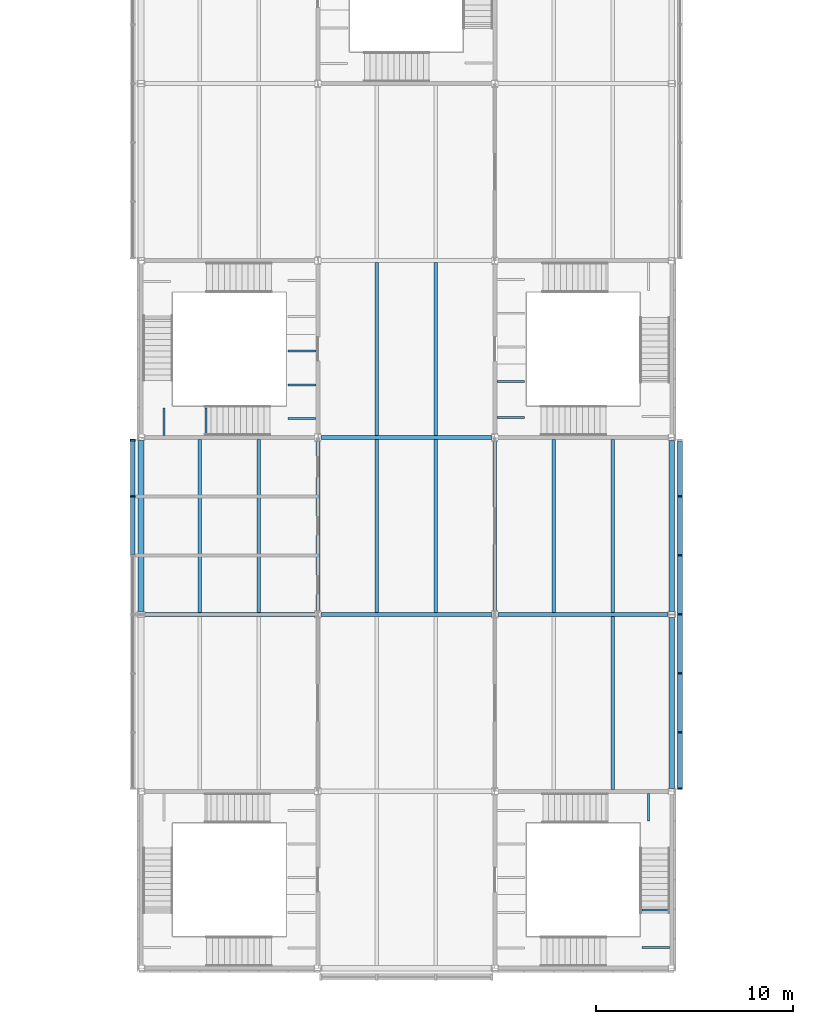
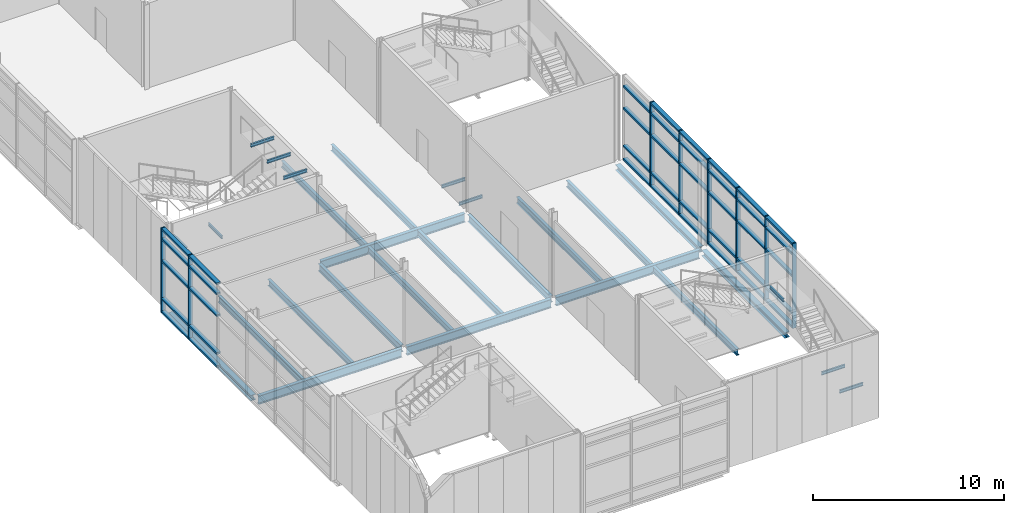
# One storey, part 10 of 53: 47 members, 28 beams, 2 elements without a shape of their own.
"""IFC4 building model written with IfcOpenShell, lengths in metres."""

from ifc_helpers import new_model, si_unit, direction, frame, origin, origin_2d, place, context, subcontext, project, spatial, rectangle, i_section, extrude, material, material_profile, profile_set, type_object, element, aggregate, save


model = new_model("IFC4")

# Units and contexts
model_context = context("Model", 3, precision=1e-05, world=origin(), true_north=direction((0.0, 1.0)))
body_context = subcontext(model_context, "Body", "Model", "MODEL_VIEW")
ifc_project = project(units=[si_unit("LENGTHUNIT", "METRE"), si_unit("AREAUNIT", "SQUARE_METRE"), si_unit("VOLUMEUNIT", "CUBIC_METRE"), si_unit("PLANEANGLEUNIT", "RADIAN"), si_unit("MASSUNIT", "GRAM", prefix="KILO")], contexts=[model_context])

# Site, building, storey
site_placement = place(None, origin())
site = spatial("IfcSite", under=ifc_project, at=site_placement, CompositionType="ELEMENT")
building_placement = place(site_placement, origin())
building = spatial("IfcBuilding", under=site, at=building_placement, Name="Azimuth Sports and Learning Centre", CompositionType="ELEMENT")
storey_placement = place(building_placement, frame((0.0, 0.0, 10.800048828125)))
storey = spatial("IfcBuildingStorey", under=building, at=storey_placement, Name="L02", CompositionType="ELEMENT", Elevation=10.800048828125)

# Beams
ifc_material_1 = material(Name="Steel S355", Category="steel")
ifc_material_profile_1 = material_profile(ifc_material_1, i_section(OverallWidth=0.10009765625, OverallDepth=0.199951171875, WebThickness=0.005615234375, FlangeThickness=0.008544921875, FilletRadius=0.011962890625, at=origin_2d()), Name="IPE 200")
ifc_profile_set_1 = profile_set([ifc_material_profile_1], Name="Steel S355")
beam_type_1 = type_object("IfcBeamType", Name="Beam IPE 200", PredefinedType="BEAM", material=ifc_profile_set_1)
for number, where, z_axis, x_axis, name in (
    (1, (98.89990234375, 1.06005859375, 1.5), (-1.0, 0.0, 0.0), (0.0, -1.0, 0.0), "Landing bracket ST2 L02 1043"),
    (2, (98.89990234375, 2.9599609375, 1.5), (-1.0, 0.0, 0.0), (0.0, -1.0, 0.0), "Landing bracket ST2 L02 1044"),
    (3, (97.827392578125, 8.89990234375, 3.300048828125), (0.0, -1.0, 0.0), (1.0, 0.0, 0.0), "Landing bracket ST2 L02 1046"),
    (4, (73.172607421875, 27.10009765625, 3.300048828125), (0.0, 1.0, 0.0), (-1.0, 0.0, 0.0), "Landing bracket ST3 L02 1079"),
    (5, (75.297607421875, 27.10009765625, 3.300048828125), (0.0, 1.0, 0.0), (-1.0, 0.0, 0.0), "Landing bracket ST3 L02 1080"),
    (6, (80.89990234375, 27.966552734375, 5.099853515625), (-1.0, 0.0, 0.0), (0.0, -1.0, 0.0), "Landing bracket ST3 L02 1081"),
    (7, (80.89990234375, 29.679931640625, 5.099853515625), (-1.0, 0.0, 0.0), (0.0, -1.0, 0.0), "Landing bracket ST3 L02 1082"),
    (8, (80.89990234375, 31.393310546875, 5.099853515625), (-1.0, 0.0, 0.0), (0.0, -1.0, 0.0), "Landing bracket ST3 L02 1083"),
    (9, (90.10009765625, 28.02001953125, -0.300048828125), (1.0, 0.0, 0.0), (0.0, 1.0, 0.0), "Landing bracket ST4 L02 1109"),
    (10, (90.10009765625, 29.840087890625, -0.300048828125), (1.0, 0.0, 0.0), (0.0, 1.0, 0.0), "Landing bracket ST4 L02 1110"),
):
    element("IfcBeam", number, at=place(storey_placement, frame(where, z_axis=z_axis, x_axis=x_axis)), inside=storey, type_object=beam_type_1, Name=name, PredefinedType="BEAM", context=body_context, shape_type="SweptSolid", body=[
        extrude(i_section(OverallWidth=0.10009765625, OverallDepth=0.199951171875, WebThickness=0.005615234375, FlangeThickness=0.008544921875, FilletRadius=0.011962890625, at=origin_2d()), origin(), (0.0, 0.0, 1.0), 1.409912109375),
    ])
ifc_material_2 = material(Name="Steel S355", Category="steel")
ifc_material_profile_2 = material_profile(ifc_material_2, i_section(OverallWidth=0.18994140625, OverallDepth=0.449951171875, WebThickness=0.009521484375, FlangeThickness=0.0146484375, FilletRadius=0.02099609375, at=origin_2d()), Name="IPE 450")
ifc_profile_set_2 = profile_set([ifc_material_profile_2], Name="Steel S355")
beam_type_2 = type_object("IfcBeamType", Name="Beam IPE 450", PredefinedType="BEAM", material=ifc_profile_set_2)
for number, where, z_axis, x_axis, name in (
    (11, (81.0, 18.199951171875, -0.375), (0.0, 1.0, 0.0), (-1.0, 0.0, 0.0), "Beam L02 ST 30"),
    (12, (90.0, 18.199951171875, -0.375), (0.0, 1.0, 0.0), (-1.0, 0.0, 0.0), "Beam L02 ST 36"),
):
    element("IfcBeam", number, at=place(storey_placement, frame(where, z_axis=z_axis, x_axis=x_axis)), inside=storey, type_object=beam_type_2, Name=name, PredefinedType="BEAM", context=body_context, shape_type="SweptSolid", body=[
        extrude(i_section(OverallWidth=0.18994140625, OverallDepth=0.449951171875, WebThickness=0.009521484375, FlangeThickness=0.0146484375, FilletRadius=0.02099609375, at=origin_2d()), origin(), (0.0, 0.0, 1.0), 8.60009765625),
    ])
ifc_material_3 = material(Name="Steel S355", Category="steel")
ifc_material_profile_3 = material_profile(ifc_material_3, i_section(OverallWidth=0.2099609375, OverallDepth=0.550048828125, WebThickness=0.010986328125, FlangeThickness=0.01708984375, FilletRadius=0.02392578125, at=origin_2d()), Name="IPE 550")
ifc_profile_set_3 = profile_set([ifc_material_profile_3], Name="Steel S355")
beam_type_3 = type_object("IfcBeamType", Name="Beam IPE 550", PredefinedType="BEAM", material=ifc_profile_set_3)
beam_1_placement = place(storey_placement, frame((72.199951171875, 18.0, -0.425048828125), z_axis=(1.0, 0.0, 0.0), x_axis=(0.0, 1.0, 0.0)))
element("IfcBeam", 13, at=beam_1_placement, inside=storey, type_object=beam_type_3, Name="Beam L02 ST 3", PredefinedType="BEAM", context=body_context, shape_type="SweptSolid", body=[
    extrude(i_section(OverallWidth=0.2099609375, OverallDepth=0.550048828125, WebThickness=0.010986328125, FlangeThickness=0.01708984375, FilletRadius=0.02392578125, at=origin_2d()), origin(), (0.0, 0.0, 1.0), 8.650146484375),
])
beam_2_placement = place(storey_placement, frame((81.14990234375, 18.0, -0.425048828125), z_axis=(1.0, 0.0, 0.0), x_axis=(0.0, 1.0, 0.0)))
element("IfcBeam", 14, at=beam_2_placement, inside=storey, type_object=beam_type_3, Name="Beam L02 ST 4", PredefinedType="BEAM", context=body_context, shape_type="SweptSolid", body=[
    extrude(i_section(OverallWidth=0.2099609375, OverallDepth=0.550048828125, WebThickness=0.010986328125, FlangeThickness=0.01708984375, FilletRadius=0.02392578125, at=origin_2d()), origin(), (0.0, 0.0, 1.0), 8.7001953125),
])
beam_3_placement = place(storey_placement, frame((90.14990234375, 18.0, -0.425048828125), z_axis=(1.0, 0.0, 0.0), x_axis=(0.0, 1.0, 0.0)))
element("IfcBeam", 15, at=beam_3_placement, inside=storey, type_object=beam_type_3, Name="Beam L02 ST 5", PredefinedType="BEAM", context=body_context, shape_type="SweptSolid", body=[
    extrude(i_section(OverallWidth=0.2099609375, OverallDepth=0.550048828125, WebThickness=0.010986328125, FlangeThickness=0.01708984375, FilletRadius=0.02392578125, at=origin_2d()), origin(), (0.0, 0.0, 1.0), 8.650146484375),
])
beam_4_placement = place(storey_placement, frame((81.14990234375, 27.0, -0.425048828125), z_axis=(1.0, 0.0, 0.0), x_axis=(0.0, 1.0, 0.0)))
element("IfcBeam", 16, at=beam_4_placement, inside=storey, type_object=beam_type_3, Name="Beam L02 ST 6", PredefinedType="BEAM", context=body_context, shape_type="SweptSolid", body=[
    extrude(i_section(OverallWidth=0.2099609375, OverallDepth=0.550048828125, WebThickness=0.010986328125, FlangeThickness=0.01708984375, FilletRadius=0.02392578125, at=origin_2d()), origin(), (0.0, 0.0, 1.0), 8.7001953125),
])
ifc_material_4 = material(Name="Steel S355", Category="steel")
ifc_material_profile_4 = material_profile(ifc_material_4, i_section(OverallWidth=0.300048828125, OverallDepth=0.35009765625, WebThickness=0.010009765625, FlangeThickness=0.017578125, FilletRadius=0.027099609375, at=origin_2d()), Name="HEA 360")
ifc_profile_set_4 = profile_set([ifc_material_profile_4], Name="Steel S355")
beam_type_4 = type_object("IfcBeamType", Name="Edge beam HEA 360", PredefinedType="SPANDREL", material=ifc_profile_set_4)
for number, where, z_axis, x_axis, name in (
    (17, (72.0, 18.14990234375, -0.324951171875), (0.0, 1.0, 0.0), (-1.0, 0.0, 0.0), "Edge beam L02 ST 22"),
    (18, (99.0, 9.14990234375, -0.324951171875), (0.0, 1.0, 0.0), (-1.0, 0.0, 0.0), "Edge beam L02 ST 41"),
    (19, (99.0, 18.14990234375, -0.324951171875), (0.0, 1.0, 0.0), (-1.0, 0.0, 0.0), "Edge beam L02 ST 42"),
):
    element("IfcBeam", number, at=place(storey_placement, frame(where, z_axis=z_axis, x_axis=x_axis)), inside=storey, type_object=beam_type_4, Name=name, PredefinedType="SPANDREL", context=body_context, shape_type="SweptSolid", body=[
        extrude(i_section(OverallWidth=0.300048828125, OverallDepth=0.35009765625, WebThickness=0.010009765625, FlangeThickness=0.017578125, FilletRadius=0.027099609375, at=origin_2d()), origin(), (0.0, 0.0, 1.0), 8.7001953125),
    ])
ifc_material_5 = material(Name="Steel S355", Category="steel")
ifc_material_profile_5 = material_profile(ifc_material_5, i_section(OverallWidth=0.179931640625, OverallDepth=0.39990234375, WebThickness=0.008544921875, FlangeThickness=0.013427734375, FilletRadius=0.02099609375, at=origin_2d()), Name="IPE 400")
ifc_profile_set_5 = profile_set([ifc_material_profile_5], Name="Steel S355")
beam_type_5 = type_object("IfcBeamType", Name="Joist IPE 400", PredefinedType="JOIST", material=ifc_profile_set_5)
for number, where, z_axis, x_axis, name in (
    (20, (75.0, 18.10498046875, -0.35009765625), (0.0, 1.0, 0.0), (-1.0, 0.0, 0.0), "Joist L02 ST 49"),
    (21, (78.0, 18.10498046875, -0.35009765625), (0.0, 1.0, 0.0), (-1.0, 0.0, 0.0), "Joist L02 ST 57"),
):
    element("IfcBeam", number, at=place(storey_placement, frame(where, z_axis=z_axis, x_axis=x_axis)), inside=storey, type_object=beam_type_5, Name=name, PredefinedType="JOIST", context=body_context, shape_type="SweptSolid", body=[
        extrude(i_section(OverallWidth=0.179931640625, OverallDepth=0.39990234375, WebThickness=0.008544921875, FlangeThickness=0.013427734375, FilletRadius=0.02099609375, at=origin_2d()), origin(), (0.0, 0.0, 1.0), 8.794921875),
    ])
for number, where, z_axis, x_axis, name in (
    (22, (84.0, 18.10498046875, -0.35009765625), (0.0, 1.0, 0.0), (-1.0, 0.0, 0.0), "Joist L02 ST 66"),
    (23, (84.0, 27.10498046875, -0.35009765625), (0.0, 1.0, 0.0), (-1.0, 0.0, 0.0), "Joist L02 ST 67"),
    (24, (87.0, 18.10498046875, -0.35009765625), (0.0, 1.0, 0.0), (-1.0, 0.0, 0.0), "Joist L02 ST 72"),
    (25, (87.0, 27.10498046875, -0.35009765625), (0.0, 1.0, 0.0), (-1.0, 0.0, 0.0), "Joist L02 ST 73"),
):
    element("IfcBeam", number, at=place(storey_placement, frame(where, z_axis=z_axis, x_axis=x_axis)), inside=storey, type_object=beam_type_5, Name=name, PredefinedType="JOIST", context=body_context, shape_type="SweptSolid", body=[
        extrude(i_section(OverallWidth=0.179931640625, OverallDepth=0.39990234375, WebThickness=0.008544921875, FlangeThickness=0.013427734375, FilletRadius=0.02099609375, at=origin_2d()), origin(), (0.0, 0.0, 1.0), 8.7900390625),
    ])
for number, where, z_axis, x_axis, name in (
    (26, (93.0, 18.10498046875, -0.35009765625), (0.0, 1.0, 0.0), (-1.0, 0.0, 0.0), "Joist L02 ST 77"),
    (27, (96.0, 9.10009765625, -0.35009765625), (0.0, 1.0, 0.0), (-1.0, 0.0, 0.0), "Joist L02 ST 84"),
    (28, (96.0, 18.10498046875, -0.35009765625), (0.0, 1.0, 0.0), (-1.0, 0.0, 0.0), "Joist L02 ST 85"),
):
    element("IfcBeam", number, at=place(storey_placement, frame(where, z_axis=z_axis, x_axis=x_axis)), inside=storey, type_object=beam_type_5, Name=name, PredefinedType="JOIST", context=body_context, shape_type="SweptSolid", body=[
        extrude(i_section(OverallWidth=0.179931640625, OverallDepth=0.39990234375, WebThickness=0.008544921875, FlangeThickness=0.013427734375, FilletRadius=0.02099609375, at=origin_2d()), origin(), (0.0, 0.0, 1.0), 8.794921875),
    ])

# Curtain wall, members
ifc_material_6 = material(Name="Aluminium and glass", Category="aluminium")
curtain_wall_type = type_object("IfcCurtainWallType", Name="Curtain wall podium stem 240", PredefinedType="NOTDEFINED", material=ifc_material_6)
curtain_wall_1_placement = place(storey_placement, origin())
curtain_wall_1 = element("IfcCurtainWall", 29, at=curtain_wall_1_placement, inside=storey, type_object=curtain_wall_type, Name="Curtain wall CW02-004", PredefinedType="NOTDEFINED")
ifc_material_7 = material(Name="Aluminium", Category="aluminium")
ifc_material_profile_6 = material_profile(ifc_material_7, rectangle(XDim=0.239990234375, YDim=0.080078125, at=origin_2d()), Name="Mullion 80x240")
ifc_profile_set_6 = profile_set([ifc_material_profile_6], Name="Aluminium")
member_type_1 = type_object("IfcMemberType", Name="Mullion 80x240", PredefinedType="MULLION", material=ifc_profile_set_6)
member_1_placement = place(storey_placement, frame((71.580078125, 26.860107421875, 0.0), z_axis=(0.0, 0.0, 1.0), x_axis=(1.0, 0.0, 0.0)))
member_1 = element("IfcMember", 30, at=member_1_placement, type_object=member_type_1, Name="CW02-004 mullion 1", PredefinedType="MULLION", context=body_context, shape_type="SweptSolid", body=[
    extrude(rectangle(XDim=0.239990234375, YDim=0.080078125, at=origin_2d()), origin(), (0.0, 0.0, 1.0), 5.39990234375),
])
member_2_placement = place(storey_placement, frame((71.580078125, 24.0, 0.0), z_axis=(0.0, 0.0, 1.0), x_axis=(1.0, 0.0, 0.0)))
member_2 = element("IfcMember", 31, at=member_2_placement, type_object=member_type_1, Name="CW02-004 mullion 2", PredefinedType="MULLION", context=body_context, shape_type="SweptSolid", body=[
    extrude(rectangle(XDim=0.239990234375, YDim=0.080078125, at=origin_2d()), origin(), (0.0, 0.0, 1.0), 5.39990234375),
])

curtain_wall_2_placement = place(storey_placement, origin())
curtain_wall_2 = element("IfcCurtainWall", 32, at=curtain_wall_2_placement, inside=storey, type_object=curtain_wall_type, Name="Curtain wall CW02-006", PredefinedType="NOTDEFINED")
member_3_placement = place(storey_placement, frame((99.419921875, 9.139892578125, 0.0), z_axis=(0.0, 0.0, 1.0), x_axis=(-1.0, 0.0, 0.0)))
member_3 = element("IfcMember", 33, at=member_3_placement, type_object=member_type_1, Name="CW02-006 mullion 1", PredefinedType="MULLION", context=body_context, shape_type="SweptSolid", body=[
    extrude(rectangle(XDim=0.239990234375, YDim=0.080078125, at=origin_2d()), origin(), (0.0, 0.0, 1.0), 5.39990234375),
])
member_4_placement = place(storey_placement, frame((99.419921875, 12.0, 0.0), z_axis=(0.0, 0.0, 1.0), x_axis=(-1.0, 0.0, 0.0)))
member_4 = element("IfcMember", 34, at=member_4_placement, type_object=member_type_1, Name="CW02-006 mullion 2", PredefinedType="MULLION", context=body_context, shape_type="SweptSolid", body=[
    extrude(rectangle(XDim=0.239990234375, YDim=0.080078125, at=origin_2d()), origin(), (0.0, 0.0, 1.0), 5.39990234375),
])
member_5_placement = place(storey_placement, frame((99.419921875, 15.0, 0.0), z_axis=(0.0, 0.0, 1.0), x_axis=(-1.0, 0.0, 0.0)))
member_5 = element("IfcMember", 35, at=member_5_placement, type_object=member_type_1, Name="CW02-006 mullion 3", PredefinedType="MULLION", context=body_context, shape_type="SweptSolid", body=[
    extrude(rectangle(XDim=0.239990234375, YDim=0.080078125, at=origin_2d()), origin(), (0.0, 0.0, 1.0), 5.39990234375),
])
member_6_placement = place(storey_placement, frame((99.419921875, 18.0, 0.0), z_axis=(0.0, 0.0, 1.0), x_axis=(-1.0, 0.0, 0.0)))
member_6 = element("IfcMember", 36, at=member_6_placement, type_object=member_type_1, Name="CW02-006 mullion 4", PredefinedType="MULLION", context=body_context, shape_type="SweptSolid", body=[
    extrude(rectangle(XDim=0.239990234375, YDim=0.080078125, at=origin_2d()), origin(), (0.0, 0.0, 1.0), 5.39990234375),
])
member_7_placement = place(storey_placement, frame((99.419921875, 21.0, 0.0), z_axis=(0.0, 0.0, 1.0), x_axis=(-1.0, 0.0, 0.0)))
member_7 = element("IfcMember", 37, at=member_7_placement, type_object=member_type_1, Name="CW02-006 mullion 5", PredefinedType="MULLION", context=body_context, shape_type="SweptSolid", body=[
    extrude(rectangle(XDim=0.239990234375, YDim=0.080078125, at=origin_2d()), origin(), (0.0, 0.0, 1.0), 5.39990234375),
])
member_8_placement = place(storey_placement, frame((99.419921875, 24.0, 0.0), z_axis=(0.0, 0.0, 1.0), x_axis=(-1.0, 0.0, 0.0)))
member_8 = element("IfcMember", 38, at=member_8_placement, type_object=member_type_1, Name="CW02-006 mullion 6", PredefinedType="MULLION", context=body_context, shape_type="SweptSolid", body=[
    extrude(rectangle(XDim=0.239990234375, YDim=0.080078125, at=origin_2d()), origin(), (0.0, 0.0, 1.0), 5.39990234375),
])

# Member
ifc_material_8 = material(Name="Aluminium", Category="aluminium")
ifc_material_profile_7 = material_profile(ifc_material_8, rectangle(XDim=0.239990234375, YDim=0.1201171875, at=origin_2d()), Name="Transom 120x240")
ifc_profile_set_7 = profile_set([ifc_material_profile_7], Name="Aluminium")
member_type_2 = type_object("IfcMemberType", Name="Transom 120x240", PredefinedType="USERDEFINED", material=ifc_profile_set_7)
member_9_placement = place(storey_placement, frame((71.580078125, 26.820068359375, 0.06005859375), z_axis=(0.0, -1.0, 0.0), x_axis=(1.0, 0.0, 0.0)))
member_9 = element("IfcMember", 39, at=member_9_placement, type_object=member_type_2, Name="CW02-004 transom 1.1", ObjectType="TRANSOM", PredefinedType="USERDEFINED", context=body_context, shape_type="SweptSolid", body=[
    extrude(rectangle(XDim=0.239990234375, YDim=0.1201171875, at=origin_2d()), origin(), (0.0, 0.0, 1.0), 2.780029296875),
])

member_10_placement = place(storey_placement, frame((71.580078125, 26.820068359375, 0.89990234375), z_axis=(0.0, -1.0, 0.0), x_axis=(1.0, 0.0, 0.0)))
member_10 = element("IfcMember", 40, at=member_10_placement, type_object=member_type_2, Name="CW02-004 transom 1.2", ObjectType="TRANSOM", PredefinedType="USERDEFINED", context=body_context, shape_type="SweptSolid", body=[
    extrude(rectangle(XDim=0.239990234375, YDim=0.1201171875, at=origin_2d()), origin(), (0.0, 0.0, 1.0), 2.780029296875),
])

member_11_placement = place(storey_placement, frame((71.580078125, 26.820068359375, 3.300048828125), z_axis=(0.0, -1.0, 0.0), x_axis=(1.0, 0.0, 0.0)))
member_11 = element("IfcMember", 41, at=member_11_placement, type_object=member_type_2, Name="CW02-004 transom 1.3", ObjectType="TRANSOM", PredefinedType="USERDEFINED", context=body_context, shape_type="SweptSolid", body=[
    extrude(rectangle(XDim=0.239990234375, YDim=0.1201171875, at=origin_2d()), origin(), (0.0, 0.0, 1.0), 2.780029296875),
])

member_12_placement = place(storey_placement, frame((71.580078125, 26.820068359375, 4.699951171875), z_axis=(0.0, -1.0, 0.0), x_axis=(1.0, 0.0, 0.0)))
member_12 = element("IfcMember", 42, at=member_12_placement, type_object=member_type_2, Name="CW02-004 transom 1.4", ObjectType="TRANSOM", PredefinedType="USERDEFINED", context=body_context, shape_type="SweptSolid", body=[
    extrude(rectangle(XDim=0.239990234375, YDim=0.1201171875, at=origin_2d()), origin(), (0.0, 0.0, 1.0), 2.780029296875),
])

member_13_placement = place(storey_placement, frame((71.580078125, 26.820068359375, 5.33984375), z_axis=(0.0, -1.0, 0.0), x_axis=(1.0, 0.0, 0.0)))
member_13 = element("IfcMember", 43, at=member_13_placement, type_object=member_type_2, Name="CW02-004 transom 1.5", ObjectType="TRANSOM", PredefinedType="USERDEFINED", context=body_context, shape_type="SweptSolid", body=[
    extrude(rectangle(XDim=0.239990234375, YDim=0.1201171875, at=origin_2d()), origin(), (0.0, 0.0, 1.0), 2.780029296875),
])

member_14_placement = place(storey_placement, frame((71.580078125, 23.9599609375, 0.06005859375), z_axis=(0.0, -1.0, 0.0), x_axis=(1.0, 0.0, 0.0)))
member_14 = element("IfcMember", 44, at=member_14_placement, type_object=member_type_2, Name="CW02-004 transom 2.1", ObjectType="TRANSOM", PredefinedType="USERDEFINED", context=body_context, shape_type="SweptSolid", body=[
    extrude(rectangle(XDim=0.239990234375, YDim=0.1201171875, at=origin_2d()), origin(), (0.0, 0.0, 1.0), 2.919921875),
])

member_15_placement = place(storey_placement, frame((71.580078125, 23.9599609375, 0.89990234375), z_axis=(0.0, -1.0, 0.0), x_axis=(1.0, 0.0, 0.0)))
member_15 = element("IfcMember", 45, at=member_15_placement, type_object=member_type_2, Name="CW02-004 transom 2.2", ObjectType="TRANSOM", PredefinedType="USERDEFINED", context=body_context, shape_type="SweptSolid", body=[
    extrude(rectangle(XDim=0.239990234375, YDim=0.1201171875, at=origin_2d()), origin(), (0.0, 0.0, 1.0), 2.919921875),
])

member_16_placement = place(storey_placement, frame((71.580078125, 23.9599609375, 3.300048828125), z_axis=(0.0, -1.0, 0.0), x_axis=(1.0, 0.0, 0.0)))
member_16 = element("IfcMember", 46, at=member_16_placement, type_object=member_type_2, Name="CW02-004 transom 2.3", ObjectType="TRANSOM", PredefinedType="USERDEFINED", context=body_context, shape_type="SweptSolid", body=[
    extrude(rectangle(XDim=0.239990234375, YDim=0.1201171875, at=origin_2d()), origin(), (0.0, 0.0, 1.0), 2.919921875),
])

member_17_placement = place(storey_placement, frame((71.580078125, 23.9599609375, 4.699951171875), z_axis=(0.0, -1.0, 0.0), x_axis=(1.0, 0.0, 0.0)))
member_17 = element("IfcMember", 47, at=member_17_placement, type_object=member_type_2, Name="CW02-004 transom 2.4", ObjectType="TRANSOM", PredefinedType="USERDEFINED", context=body_context, shape_type="SweptSolid", body=[
    extrude(rectangle(XDim=0.239990234375, YDim=0.1201171875, at=origin_2d()), origin(), (0.0, 0.0, 1.0), 2.919921875),
])

member_18_placement = place(storey_placement, frame((71.580078125, 23.9599609375, 5.33984375), z_axis=(0.0, -1.0, 0.0), x_axis=(1.0, 0.0, 0.0)))
member_18 = element("IfcMember", 48, at=member_18_placement, type_object=member_type_2, Name="CW02-004 transom 2.5", ObjectType="TRANSOM", PredefinedType="USERDEFINED", context=body_context, shape_type="SweptSolid", body=[
    extrude(rectangle(XDim=0.239990234375, YDim=0.1201171875, at=origin_2d()), origin(), (0.0, 0.0, 1.0), 2.919921875),
])

aggregate(curtain_wall_1, [member_1, member_2, member_9, member_10, member_11, member_12, member_13, member_14, member_15, member_16, member_17, member_18])

member_19_placement = place(storey_placement, frame((99.419921875, 9.179931640625, 0.06005859375), z_axis=(0.0, 1.0, 0.0), x_axis=(-1.0, 0.0, 0.0)))
member_19 = element("IfcMember", 49, at=member_19_placement, type_object=member_type_2, Name="CW02-006 transom 1.1", ObjectType="TRANSOM", PredefinedType="USERDEFINED", context=body_context, shape_type="SweptSolid", body=[
    extrude(rectangle(XDim=0.239990234375, YDim=0.1201171875, at=origin_2d()), origin(), (0.0, 0.0, 1.0), 2.780029296875),
])

member_20_placement = place(storey_placement, frame((99.419921875, 9.179931640625, 0.89990234375), z_axis=(0.0, 1.0, 0.0), x_axis=(-1.0, 0.0, 0.0)))
member_20 = element("IfcMember", 50, at=member_20_placement, type_object=member_type_2, Name="CW02-006 transom 1.2", ObjectType="TRANSOM", PredefinedType="USERDEFINED", context=body_context, shape_type="SweptSolid", body=[
    extrude(rectangle(XDim=0.239990234375, YDim=0.1201171875, at=origin_2d()), origin(), (0.0, 0.0, 1.0), 2.780029296875),
])

member_21_placement = place(storey_placement, frame((99.419921875, 9.179931640625, 3.300048828125), z_axis=(0.0, 1.0, 0.0), x_axis=(-1.0, 0.0, 0.0)))
member_21 = element("IfcMember", 51, at=member_21_placement, type_object=member_type_2, Name="CW02-006 transom 1.3", ObjectType="TRANSOM", PredefinedType="USERDEFINED", context=body_context, shape_type="SweptSolid", body=[
    extrude(rectangle(XDim=0.239990234375, YDim=0.1201171875, at=origin_2d()), origin(), (0.0, 0.0, 1.0), 2.780029296875),
])

member_22_placement = place(storey_placement, frame((99.419921875, 9.179931640625, 4.699951171875), z_axis=(0.0, 1.0, 0.0), x_axis=(-1.0, 0.0, 0.0)))
member_22 = element("IfcMember", 52, at=member_22_placement, type_object=member_type_2, Name="CW02-006 transom 1.4", ObjectType="TRANSOM", PredefinedType="USERDEFINED", context=body_context, shape_type="SweptSolid", body=[
    extrude(rectangle(XDim=0.239990234375, YDim=0.1201171875, at=origin_2d()), origin(), (0.0, 0.0, 1.0), 2.780029296875),
])

member_23_placement = place(storey_placement, frame((99.419921875, 9.179931640625, 5.33984375), z_axis=(0.0, 1.0, 0.0), x_axis=(-1.0, 0.0, 0.0)))
member_23 = element("IfcMember", 53, at=member_23_placement, type_object=member_type_2, Name="CW02-006 transom 1.5", ObjectType="TRANSOM", PredefinedType="USERDEFINED", context=body_context, shape_type="SweptSolid", body=[
    extrude(rectangle(XDim=0.239990234375, YDim=0.1201171875, at=origin_2d()), origin(), (0.0, 0.0, 1.0), 2.780029296875),
])

member_24_placement = place(storey_placement, frame((99.419921875, 12.0400390625, 0.06005859375), z_axis=(0.0, 1.0, 0.0), x_axis=(-1.0, 0.0, 0.0)))
member_24 = element("IfcMember", 54, at=member_24_placement, type_object=member_type_2, Name="CW02-006 transom 2.1", ObjectType="TRANSOM", PredefinedType="USERDEFINED", context=body_context, shape_type="SweptSolid", body=[
    extrude(rectangle(XDim=0.239990234375, YDim=0.1201171875, at=origin_2d()), origin(), (0.0, 0.0, 1.0), 2.919921875),
])

member_25_placement = place(storey_placement, frame((99.419921875, 12.0400390625, 0.89990234375), z_axis=(0.0, 1.0, 0.0), x_axis=(-1.0, 0.0, 0.0)))
member_25 = element("IfcMember", 55, at=member_25_placement, type_object=member_type_2, Name="CW02-006 transom 2.2", ObjectType="TRANSOM", PredefinedType="USERDEFINED", context=body_context, shape_type="SweptSolid", body=[
    extrude(rectangle(XDim=0.239990234375, YDim=0.1201171875, at=origin_2d()), origin(), (0.0, 0.0, 1.0), 2.919921875),
])

member_26_placement = place(storey_placement, frame((99.419921875, 12.0400390625, 3.300048828125), z_axis=(0.0, 1.0, 0.0), x_axis=(-1.0, 0.0, 0.0)))
member_26 = element("IfcMember", 56, at=member_26_placement, type_object=member_type_2, Name="CW02-006 transom 2.3", ObjectType="TRANSOM", PredefinedType="USERDEFINED", context=body_context, shape_type="SweptSolid", body=[
    extrude(rectangle(XDim=0.239990234375, YDim=0.1201171875, at=origin_2d()), origin(), (0.0, 0.0, 1.0), 2.919921875),
])

member_27_placement = place(storey_placement, frame((99.419921875, 12.0400390625, 4.699951171875), z_axis=(0.0, 1.0, 0.0), x_axis=(-1.0, 0.0, 0.0)))
member_27 = element("IfcMember", 57, at=member_27_placement, type_object=member_type_2, Name="CW02-006 transom 2.4", ObjectType="TRANSOM", PredefinedType="USERDEFINED", context=body_context, shape_type="SweptSolid", body=[
    extrude(rectangle(XDim=0.239990234375, YDim=0.1201171875, at=origin_2d()), origin(), (0.0, 0.0, 1.0), 2.919921875),
])

member_28_placement = place(storey_placement, frame((99.419921875, 12.0400390625, 5.33984375), z_axis=(0.0, 1.0, 0.0), x_axis=(-1.0, 0.0, 0.0)))
member_28 = element("IfcMember", 58, at=member_28_placement, type_object=member_type_2, Name="CW02-006 transom 2.5", ObjectType="TRANSOM", PredefinedType="USERDEFINED", context=body_context, shape_type="SweptSolid", body=[
    extrude(rectangle(XDim=0.239990234375, YDim=0.1201171875, at=origin_2d()), origin(), (0.0, 0.0, 1.0), 2.919921875),
])

member_29_placement = place(storey_placement, frame((99.419921875, 15.0400390625, 0.06005859375), z_axis=(0.0, 1.0, 0.0), x_axis=(-1.0, 0.0, 0.0)))
member_29 = element("IfcMember", 59, at=member_29_placement, type_object=member_type_2, Name="CW02-006 transom 3.1", ObjectType="TRANSOM", PredefinedType="USERDEFINED", context=body_context, shape_type="SweptSolid", body=[
    extrude(rectangle(XDim=0.239990234375, YDim=0.1201171875, at=origin_2d()), origin(), (0.0, 0.0, 1.0), 2.919921875),
])

member_30_placement = place(storey_placement, frame((99.419921875, 15.0400390625, 0.89990234375), z_axis=(0.0, 1.0, 0.0), x_axis=(-1.0, 0.0, 0.0)))
member_30 = element("IfcMember", 60, at=member_30_placement, type_object=member_type_2, Name="CW02-006 transom 3.2", ObjectType="TRANSOM", PredefinedType="USERDEFINED", context=body_context, shape_type="SweptSolid", body=[
    extrude(rectangle(XDim=0.239990234375, YDim=0.1201171875, at=origin_2d()), origin(), (0.0, 0.0, 1.0), 2.919921875),
])

member_31_placement = place(storey_placement, frame((99.419921875, 15.0400390625, 3.300048828125), z_axis=(0.0, 1.0, 0.0), x_axis=(-1.0, 0.0, 0.0)))
member_31 = element("IfcMember", 61, at=member_31_placement, type_object=member_type_2, Name="CW02-006 transom 3.3", ObjectType="TRANSOM", PredefinedType="USERDEFINED", context=body_context, shape_type="SweptSolid", body=[
    extrude(rectangle(XDim=0.239990234375, YDim=0.1201171875, at=origin_2d()), origin(), (0.0, 0.0, 1.0), 2.919921875),
])

member_32_placement = place(storey_placement, frame((99.419921875, 15.0400390625, 4.699951171875), z_axis=(0.0, 1.0, 0.0), x_axis=(-1.0, 0.0, 0.0)))
member_32 = element("IfcMember", 62, at=member_32_placement, type_object=member_type_2, Name="CW02-006 transom 3.4", ObjectType="TRANSOM", PredefinedType="USERDEFINED", context=body_context, shape_type="SweptSolid", body=[
    extrude(rectangle(XDim=0.239990234375, YDim=0.1201171875, at=origin_2d()), origin(), (0.0, 0.0, 1.0), 2.919921875),
])

member_33_placement = place(storey_placement, frame((99.419921875, 15.0400390625, 5.33984375), z_axis=(0.0, 1.0, 0.0), x_axis=(-1.0, 0.0, 0.0)))
member_33 = element("IfcMember", 63, at=member_33_placement, type_object=member_type_2, Name="CW02-006 transom 3.5", ObjectType="TRANSOM", PredefinedType="USERDEFINED", context=body_context, shape_type="SweptSolid", body=[
    extrude(rectangle(XDim=0.239990234375, YDim=0.1201171875, at=origin_2d()), origin(), (0.0, 0.0, 1.0), 2.919921875),
])

member_34_placement = place(storey_placement, frame((99.419921875, 18.0400390625, 0.06005859375), z_axis=(0.0, 1.0, 0.0), x_axis=(-1.0, 0.0, 0.0)))
member_34 = element("IfcMember", 64, at=member_34_placement, type_object=member_type_2, Name="CW02-006 transom 4.1", ObjectType="TRANSOM", PredefinedType="USERDEFINED", context=body_context, shape_type="SweptSolid", body=[
    extrude(rectangle(XDim=0.239990234375, YDim=0.1201171875, at=origin_2d()), origin(), (0.0, 0.0, 1.0), 2.919921875),
])

member_35_placement = place(storey_placement, frame((99.419921875, 18.0400390625, 0.89990234375), z_axis=(0.0, 1.0, 0.0), x_axis=(-1.0, 0.0, 0.0)))
member_35 = element("IfcMember", 65, at=member_35_placement, type_object=member_type_2, Name="CW02-006 transom 4.2", ObjectType="TRANSOM", PredefinedType="USERDEFINED", context=body_context, shape_type="SweptSolid", body=[
    extrude(rectangle(XDim=0.239990234375, YDim=0.1201171875, at=origin_2d()), origin(), (0.0, 0.0, 1.0), 2.919921875),
])

member_36_placement = place(storey_placement, frame((99.419921875, 18.0400390625, 3.300048828125), z_axis=(0.0, 1.0, 0.0), x_axis=(-1.0, 0.0, 0.0)))
member_36 = element("IfcMember", 66, at=member_36_placement, type_object=member_type_2, Name="CW02-006 transom 4.3", ObjectType="TRANSOM", PredefinedType="USERDEFINED", context=body_context, shape_type="SweptSolid", body=[
    extrude(rectangle(XDim=0.239990234375, YDim=0.1201171875, at=origin_2d()), origin(), (0.0, 0.0, 1.0), 2.919921875),
])

member_37_placement = place(storey_placement, frame((99.419921875, 18.0400390625, 4.699951171875), z_axis=(0.0, 1.0, 0.0), x_axis=(-1.0, 0.0, 0.0)))
member_37 = element("IfcMember", 67, at=member_37_placement, type_object=member_type_2, Name="CW02-006 transom 4.4", ObjectType="TRANSOM", PredefinedType="USERDEFINED", context=body_context, shape_type="SweptSolid", body=[
    extrude(rectangle(XDim=0.239990234375, YDim=0.1201171875, at=origin_2d()), origin(), (0.0, 0.0, 1.0), 2.919921875),
])

member_38_placement = place(storey_placement, frame((99.419921875, 18.0400390625, 5.33984375), z_axis=(0.0, 1.0, 0.0), x_axis=(-1.0, 0.0, 0.0)))
member_38 = element("IfcMember", 68, at=member_38_placement, type_object=member_type_2, Name="CW02-006 transom 4.5", ObjectType="TRANSOM", PredefinedType="USERDEFINED", context=body_context, shape_type="SweptSolid", body=[
    extrude(rectangle(XDim=0.239990234375, YDim=0.1201171875, at=origin_2d()), origin(), (0.0, 0.0, 1.0), 2.919921875),
])

member_39_placement = place(storey_placement, frame((99.419921875, 21.0400390625, 0.06005859375), z_axis=(0.0, 1.0, 0.0), x_axis=(-1.0, 0.0, 0.0)))
member_39 = element("IfcMember", 69, at=member_39_placement, type_object=member_type_2, Name="CW02-006 transom 5.1", ObjectType="TRANSOM", PredefinedType="USERDEFINED", context=body_context, shape_type="SweptSolid", body=[
    extrude(rectangle(XDim=0.239990234375, YDim=0.1201171875, at=origin_2d()), origin(), (0.0, 0.0, 1.0), 2.919921875),
])

member_40_placement = place(storey_placement, frame((99.419921875, 21.0400390625, 0.89990234375), z_axis=(0.0, 1.0, 0.0), x_axis=(-1.0, 0.0, 0.0)))
member_40 = element("IfcMember", 70, at=member_40_placement, type_object=member_type_2, Name="CW02-006 transom 5.2", ObjectType="TRANSOM", PredefinedType="USERDEFINED", context=body_context, shape_type="SweptSolid", body=[
    extrude(rectangle(XDim=0.239990234375, YDim=0.1201171875, at=origin_2d()), origin(), (0.0, 0.0, 1.0), 2.919921875),
])

member_41_placement = place(storey_placement, frame((99.419921875, 21.0400390625, 3.300048828125), z_axis=(0.0, 1.0, 0.0), x_axis=(-1.0, 0.0, 0.0)))
member_41 = element("IfcMember", 71, at=member_41_placement, type_object=member_type_2, Name="CW02-006 transom 5.3", ObjectType="TRANSOM", PredefinedType="USERDEFINED", context=body_context, shape_type="SweptSolid", body=[
    extrude(rectangle(XDim=0.239990234375, YDim=0.1201171875, at=origin_2d()), origin(), (0.0, 0.0, 1.0), 2.919921875),
])

member_42_placement = place(storey_placement, frame((99.419921875, 21.0400390625, 4.699951171875), z_axis=(0.0, 1.0, 0.0), x_axis=(-1.0, 0.0, 0.0)))
member_42 = element("IfcMember", 72, at=member_42_placement, type_object=member_type_2, Name="CW02-006 transom 5.4", ObjectType="TRANSOM", PredefinedType="USERDEFINED", context=body_context, shape_type="SweptSolid", body=[
    extrude(rectangle(XDim=0.239990234375, YDim=0.1201171875, at=origin_2d()), origin(), (0.0, 0.0, 1.0), 2.919921875),
])

member_43_placement = place(storey_placement, frame((99.419921875, 21.0400390625, 5.33984375), z_axis=(0.0, 1.0, 0.0), x_axis=(-1.0, 0.0, 0.0)))
member_43 = element("IfcMember", 73, at=member_43_placement, type_object=member_type_2, Name="CW02-006 transom 5.5", ObjectType="TRANSOM", PredefinedType="USERDEFINED", context=body_context, shape_type="SweptSolid", body=[
    extrude(rectangle(XDim=0.239990234375, YDim=0.1201171875, at=origin_2d()), origin(), (0.0, 0.0, 1.0), 2.919921875),
])

member_44_placement = place(storey_placement, frame((99.419921875, 24.0400390625, 0.06005859375), z_axis=(0.0, 1.0, 0.0), x_axis=(-1.0, 0.0, 0.0)))
member_44 = element("IfcMember", 74, at=member_44_placement, type_object=member_type_2, Name="CW02-006 transom 6.1", ObjectType="TRANSOM", PredefinedType="USERDEFINED", context=body_context, shape_type="SweptSolid", body=[
    extrude(rectangle(XDim=0.239990234375, YDim=0.1201171875, at=origin_2d()), origin(), (0.0, 0.0, 1.0), 2.780029296875),
])

member_45_placement = place(storey_placement, frame((99.419921875, 24.0400390625, 0.89990234375), z_axis=(0.0, 1.0, 0.0), x_axis=(-1.0, 0.0, 0.0)))
member_45 = element("IfcMember", 75, at=member_45_placement, type_object=member_type_2, Name="CW02-006 transom 6.2", ObjectType="TRANSOM", PredefinedType="USERDEFINED", context=body_context, shape_type="SweptSolid", body=[
    extrude(rectangle(XDim=0.239990234375, YDim=0.1201171875, at=origin_2d()), origin(), (0.0, 0.0, 1.0), 2.780029296875),
])

member_46_placement = place(storey_placement, frame((99.419921875, 24.0400390625, 3.300048828125), z_axis=(0.0, 1.0, 0.0), x_axis=(-1.0, 0.0, 0.0)))
member_46 = element("IfcMember", 76, at=member_46_placement, type_object=member_type_2, Name="CW02-006 transom 6.3", ObjectType="TRANSOM", PredefinedType="USERDEFINED", context=body_context, shape_type="SweptSolid", body=[
    extrude(rectangle(XDim=0.239990234375, YDim=0.1201171875, at=origin_2d()), origin(), (0.0, 0.0, 1.0), 2.780029296875),
])

member_47_placement = place(storey_placement, frame((99.419921875, 24.0400390625, 4.699951171875), z_axis=(0.0, 1.0, 0.0), x_axis=(-1.0, 0.0, 0.0)))
member_47 = element("IfcMember", 77, at=member_47_placement, type_object=member_type_2, Name="CW02-006 transom 6.4", ObjectType="TRANSOM", PredefinedType="USERDEFINED", context=body_context, shape_type="SweptSolid", body=[
    extrude(rectangle(XDim=0.239990234375, YDim=0.1201171875, at=origin_2d()), origin(), (0.0, 0.0, 1.0), 2.780029296875),
])

aggregate(curtain_wall_2, [member_3, member_4, member_5, member_6, member_7, member_8, member_19, member_20, member_21, member_22, member_23, member_24, member_25, member_26, member_27, member_28, member_29, member_30, member_31, member_32, member_33, member_34, member_35, member_36, member_37, member_38, member_39, member_40, member_41, member_42, member_43, member_44, member_45, member_46, member_47])

save(model, "model.ifc")
